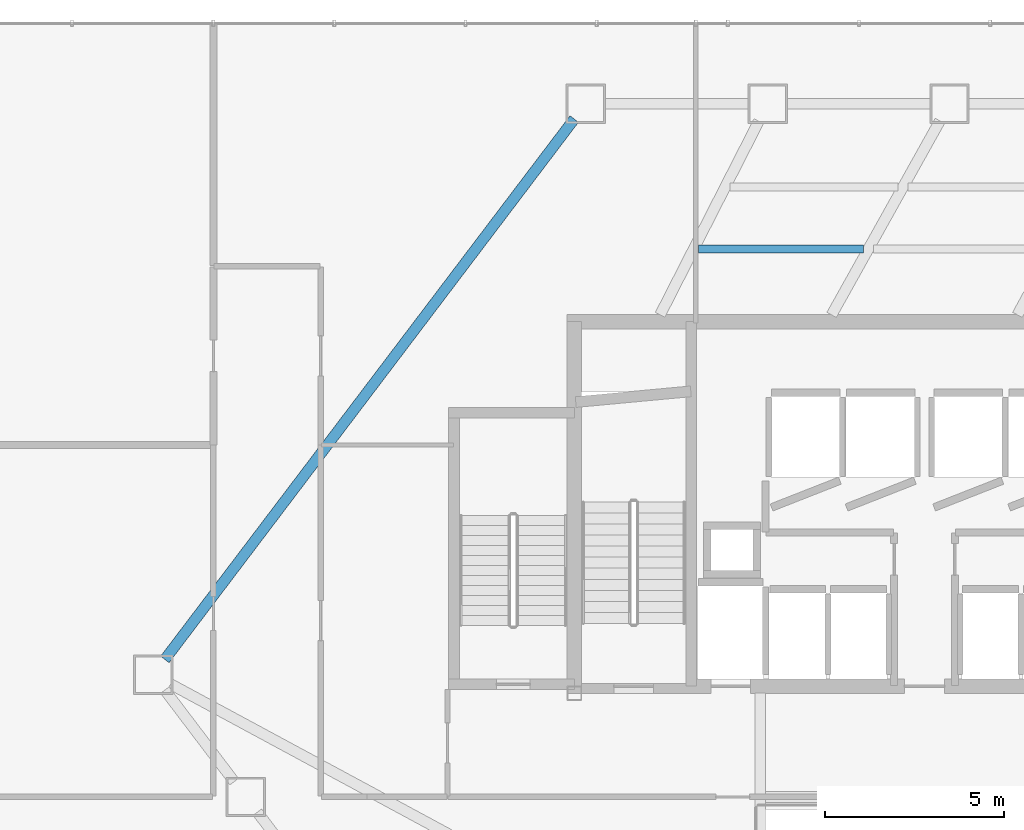
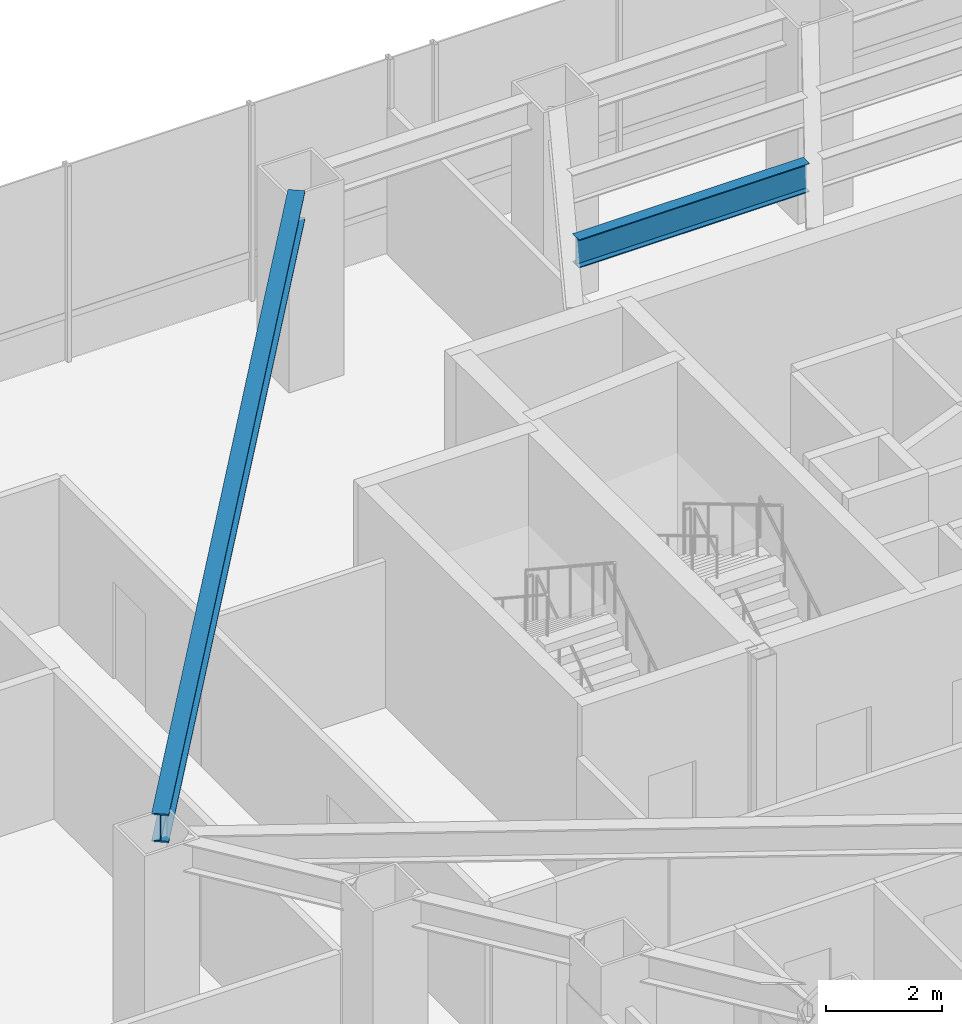
# One storey, part 18 of 37: 2 beams.
"""IFC4 building model written with IfcOpenShell, lengths in metres."""

from ifc_helpers import new_model, si_unit, direction, frame, origin, origin_2d, place, context, subcontext, project, spatial, i_section, extrude, material, material_profile, profile_set, type_object, element, save


model = new_model("IFC4")

# Units and contexts
model_context = context("Model", 3, precision=1e-05, world=origin(), true_north=direction((0.0, 1.0)))
body_context = subcontext(model_context, "Body", "Model", "MODEL_VIEW")
ifc_project = project(units=[si_unit("LENGTHUNIT", "METRE"), si_unit("AREAUNIT", "SQUARE_METRE"), si_unit("VOLUMEUNIT", "CUBIC_METRE"), si_unit("PLANEANGLEUNIT", "RADIAN"), si_unit("MASSUNIT", "GRAM", prefix="KILO")], contexts=[model_context])

# Site, building, storey
site_placement = place(None, origin())
site = spatial("IfcSite", under=ifc_project, at=site_placement, CompositionType="ELEMENT")
building_placement = place(site_placement, origin())
building = spatial("IfcBuilding", under=site, at=building_placement, Name="Zarrinselat Tower", CompositionType="ELEMENT")
storey_placement = place(building_placement, frame((0.0, 0.0, 13.93994140625)))
storey = spatial("IfcBuildingStorey", under=building, at=storey_placement, Name="L03", CompositionType="ELEMENT", Elevation=13.93994140625)

# Beams
ifc_material_1 = material(Name="Steel S355J2", Category="steel")
ifc_material_profile_1 = material_profile(ifc_material_1, i_section(OverallWidth=0.300048828125, OverallDepth=0.60009765625, WebThickness=0.015380859375, FlangeThickness=0.030029296875, at=origin_2d()), Name="HEB 600")
ifc_profile_set_1 = profile_set([ifc_material_profile_1], Name="Steel S355J2")
beam_type_1 = type_object("IfcBeamType", Name="BM-HEB600", PredefinedType="BEAM", material=ifc_profile_set_1)
beam_1_placement = place(storey_placement, frame((17.140380859375, 33.996826171875, 3.840087890625), z_axis=(0.603857192537, 0.797092523501, 0.0), x_axis=(-0.797092523501, 0.603857192537, 0.0)))
element("IfcBeam", 1, at=beam_1_placement, inside=storey, type_object=beam_type_1, Name="L03 Perimeter Spandrel Girder SP05", PredefinedType="BEAM", context=body_context, shape_type="SweptSolid", body=[
    extrude(i_section(OverallWidth=0.300048828125, OverallDepth=0.60009765625, WebThickness=0.015380859375, FlangeThickness=0.030029296875, at=origin_2d()), origin(), (0.0, 0.0, 1.0), 18.974365234375),
])
ifc_material_2 = material(Name="Steel S355J2", Category="steel")
ifc_material_profile_2 = material_profile(ifc_material_2, i_section(OverallWidth=0.219970703125, OverallDepth=0.60009765625, WebThickness=0.011962890625, FlangeThickness=0.01904296875, at=origin_2d()), Name="IPE 600")
ifc_profile_set_2 = profile_set([ifc_material_profile_2], Name="Steel S355J2")
beam_type_2 = type_object("IfcBeamType", Name="BM-IPE600", PredefinedType="JOIST", material=ifc_profile_set_2)
beam_2_placement = place(storey_placement, frame((32.07861328125, 45.482421875, 3.840087890625), z_axis=(0.999999798224, 0.000635256621, 0.0), x_axis=(-0.000635256621, 0.999999798224, 0.0)))
element("IfcBeam", 2, at=beam_2_placement, inside=storey, type_object=beam_type_2, Name="L03 Composite Floor Joist 9-2", PredefinedType="JOIST", context=body_context, shape_type="SweptSolid", body=[
    extrude(i_section(OverallWidth=0.219970703125, OverallDepth=0.60009765625, WebThickness=0.011962890625, FlangeThickness=0.01904296875, at=origin_2d()), origin(), (0.0, 0.0, 1.0), 4.61181640625),
])

save(model, "model.ifc")
